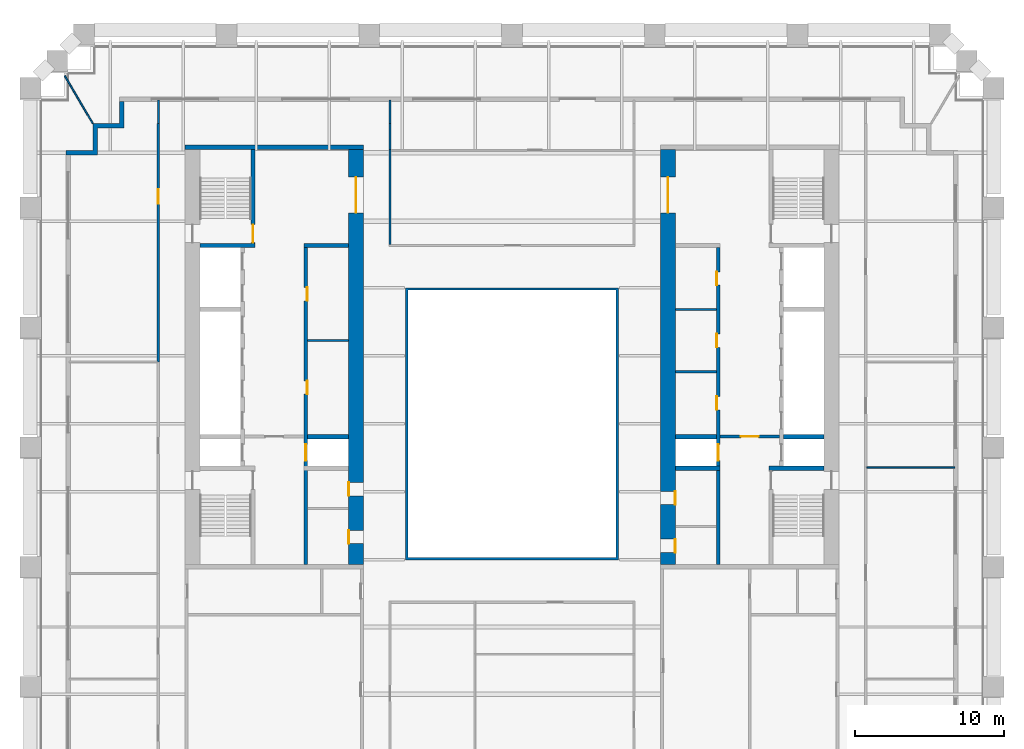
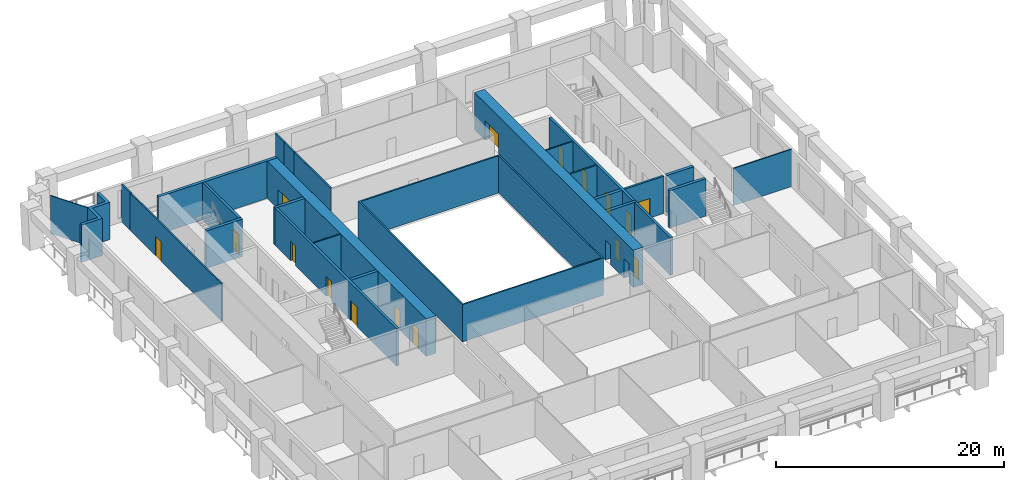
# One storey, part 6 of 10: 26 walls, 16 doors, 16 openings.
"""IFC4 building model written with IfcOpenShell, lengths in metres."""

from ifc_helpers import new_model, si_unit, direction, frame, frame_2d, origin, place, context, subcontext, project, spatial, polyline, rectangle, outline, extrude, material, layer, layer_set, type_object, element, fill, save


model = new_model("IFC4")

# Units and contexts
model_context = context("Model", 3, precision=1e-05, world=origin(), true_north=direction((0.0, 1.0)))
body_context = subcontext(model_context, "Body", "Model", "MODEL_VIEW")
ifc_project = project(units=[si_unit("LENGTHUNIT", "METRE"), si_unit("AREAUNIT", "SQUARE_METRE"), si_unit("VOLUMEUNIT", "CUBIC_METRE"), si_unit("PLANEANGLEUNIT", "RADIAN"), si_unit("MASSUNIT", "GRAM", prefix="KILO")], contexts=[model_context])

# Site, building, storey
site_placement = place(None, origin())
site = spatial("IfcSite", under=ifc_project, at=site_placement, CompositionType="ELEMENT")
building_placement = place(site_placement, origin())
building = spatial("IfcBuilding", under=site, at=building_placement, Name="Ogive Exchange Tower", CompositionType="ELEMENT")
storey_placement = place(building_placement, frame((0.0, 0.0, 52.199951171875)))
storey = spatial("IfcBuildingStorey", under=building, at=storey_placement, Name="L10", CompositionType="ELEMENT", Elevation=52.199951171875)

# Walls
ifc_material_1 = material(Name="Gypsum board partition")
ifc_layer_1 = layer(ifc_material_1, 0.14990234375)
ifc_layer_set_1 = layer_set([ifc_layer_1], Name="Core room partition 150 gypsum")
wall_type_1 = type_object("IfcWallType", Name="Core room partition 150 gypsum", PredefinedType="PARTITIONING", material=ifc_layer_set_1)
for number, where, z_axis, x_axis, name in (
    (1, (-13.75, 12.60009765625, 0.0), (0.0, 0.0, 1.0), (1.0, 0.0, 0.0), "W row B bay partition 1-1"),
    (2, (11.0, 10.5, 0.0), (0.0, 0.0, 1.0), (1.0, 0.0, 0.0), "E row B bay partition 1-1"),
    (3, (11.0, 14.699951171875, 0.0), (0.0, 0.0, 1.0), (1.0, 0.0, 0.0), "E row B bay partition 1-2"),
):
    element("IfcWall", number, at=place(storey_placement, frame(where, z_axis=z_axis, x_axis=x_axis)), inside=storey, type_object=wall_type_1, Name=name, PredefinedType="PARTITIONING", context=body_context, shape_type="SweptSolid", body=[
        extrude(rectangle(XDim=2.75, YDim=0.14990234375, at=frame_2d((1.375, 0.0))), origin(), (0.0, 0.0, 1.0), 4.0),
    ])
ifc_layer_2 = layer(ifc_material_1, 0.300048828125)
ifc_layer_set_2 = layer_set([ifc_layer_2], Name="Core room partition 300 gypsum")
wall_type_2 = type_object("IfcWallType", Name="Core room partition 300 gypsum", PredefinedType="PARTITIONING", material=ifc_layer_set_2)
wall_1_placement = place(storey_placement, frame((-14.0, 19.0, 0.0), z_axis=(0.0, 0.0, 1.0), x_axis=(1.0, 0.0, 0.0)))
element("IfcWall", 4, at=wall_1_placement, inside=storey, type_object=wall_type_2, Name="W row B room end wall 7", PredefinedType="PARTITIONING", context=body_context, shape_type="SweptSolid", body=[
    extrude(rectangle(XDim=3.0, YDim=0.300048828125, at=frame_2d((1.5, 0.0))), origin(), (0.0, 0.0, 1.0), 4.0),
])

# Wall, opening, door
ifc_material_2 = material(Name="Fire partition EI 60 150")
ifc_layer_3 = layer(ifc_material_2, 0.14990234375)
ifc_layer_set_3 = layer_set([ifc_layer_3], Name="Fire partition EI 60 150")
wall_type_3 = type_object("IfcWallType", Name="Fire partition EI 60 150", PredefinedType="PARTITIONING", material=ifc_layer_set_3)
wall_2_placement = place(storey_placement, frame((-23.800048828125, 11.169921875, 0.0), z_axis=(0.0, 0.0, 1.0), x_axis=(0.0, 1.0, 0.0)))
wall_2 = element("IfcWall", 5, at=wall_2_placement, inside=storey, type_object=wall_type_3, Name="L10-PWL-012", PredefinedType="PARTITIONING", context=body_context, shape_type="SweptSolid", body=[
    extrude(rectangle(XDim=16.030029296875, YDim=0.14990234375, at=frame_2d((8.01513671875, 0.0))), origin(), (0.0, 0.0, 1.0), 4.0),
])
opening_1_placement = place(wall_2_placement, frame((10.6298828125, 0.0, 0.0)))
opening_1 = element("IfcOpeningElement", 6, at=opening_1_placement, cuts=wall_2, Name="Opening L10-I04", PredefinedType="OPENING", context=body_context, shape_type="SweptSolid", body=[
    extrude(rectangle(XDim=1.0, YDim=2.10009765625, at=frame_2d((0.5, 1.050048828125))), frame((0.0, 0.0849609375, 0.0), z_axis=(0.0, -1.0, 0.0), x_axis=(1.0, 0.0, 0.0)), (0.0, 0.0, 1.0), 0.169921875),
])
ifc_material_3 = material(Name="Fire door FD 30S 1000 x 2100")
door_type_1 = type_object("IfcDoorType", Name="Fire door FD 30S 1000 x 2100", OperationType="NOTDEFINED", PredefinedType="DOOR", material=ifc_material_3)
door_1_placement = place(opening_1_placement, origin())
door_1 = element("IfcDoor", 7, at=door_1_placement, inside=storey, type_object=door_type_1, Name="L10-IDR-004", ObjectType="DT3", OperationType="SINGLE_SWING_LEFT", OverallHeight=2.10009765625, OverallWidth=1.0, PredefinedType="DOOR", context=body_context, shape_type="SweptSolid", body=[
    extrude(rectangle(XDim=1.0, YDim=2.10009765625, at=frame_2d((0.5, 1.050048828125))), frame((0.0, 0.02490234375, 0.0), z_axis=(0.0, -1.0, 0.0), x_axis=(1.0, 0.0, 0.0)), (0.0, 0.0, 1.0), 0.050048828125),
])
fill(opening_1, door_1)

# Walls
for number, where, z_axis, x_axis, name in (
    (8, (-23.7900390625, 27.199951171875, 0.0), (0.0, 0.0, 1.0), (0.0, 1.0, 0.0), "L10-PWL-013"),
    (9, (-8.2099609375, 28.800048828125, 0.0), (0.0, 0.0, 1.0), (0.0, -1.0, 0.0), "L10-PWL-018"),
):
    element("IfcWall", number, at=place(storey_placement, frame(where, z_axis=z_axis, x_axis=x_axis)), inside=storey, type_object=wall_type_3, Name=name, PredefinedType="PARTITIONING", context=body_context, shape_type="SweptSolid", body=[
        extrude(rectangle(XDim=1.60009765625, YDim=0.14990234375, at=frame_2d((0.800048828125, 0.0))), origin(), (0.0, 0.0, 1.0), 4.0),
    ])
wall_3_placement = place(storey_placement, frame((-8.199951171875, 25.449951171875, 0.0), z_axis=(0.0, 0.0, 1.0), x_axis=(0.0, -1.0, 0.0)))
element("IfcWall", 10, at=wall_3_placement, inside=storey, type_object=wall_type_3, Name="L10-PWL-023", PredefinedType="PARTITIONING", context=body_context, shape_type="SweptSolid", body=[
    extrude(rectangle(XDim=6.375, YDim=0.14990234375, at=frame_2d((3.1875, 0.0))), origin(), (0.0, 0.0, 1.0), 4.0),
])
wall_4_placement = place(storey_placement, frame((-8.199951171875, 27.199951171875, 0.0), z_axis=(0.0, 0.0, 1.0), x_axis=(0.0, -1.0, 0.0)))
element("IfcWall", 11, at=wall_4_placement, inside=storey, type_object=wall_type_3, Name="L10-PWL-025", PredefinedType="PARTITIONING", context=body_context, shape_type="SweptSolid", body=[
    extrude(rectangle(XDim=1.75, YDim=0.14990234375, at=frame_2d((0.875, 0.0))), origin(), (0.0, 0.0, 1.0), 4.0),
])
ifc_material_4 = material(Name="Fire-resisting glass in steel frame", Category="steel")
ifc_layer_4 = layer(ifc_material_4, 0.14990234375)
ifc_layer_set_4 = layer_set([ifc_layer_4], Name="Fire-rated glazed wall 150")
wall_type_4 = type_object("IfcWallType", Name="Fire-rated glazed wall 150", PredefinedType="STANDARD", material=ifc_layer_set_4)
wall_5_placement = place(storey_placement, origin())
element("IfcWall", 12, at=wall_5_placement, inside=storey, type_object=wall_type_4, Name="Nave enclosure wall", PredefinedType="STANDARD", context=body_context, shape_type="SweptSolid", body=[
    extrude(outline(polyline([(-7.14990234375, -2.14990234375), (7.14990234375, -2.14990234375), (7.14990234375, 16.14990234375), (-7.14990234375, 16.14990234375), (-7.14990234375, -2.14990234375)]), holes=[polyline([(-7.0, -2.0), (-7.0, 16.0), (7.0, 16.0), (7.0, -2.0), (-7.0, -2.0)])]), origin(), (0.0, 0.0, 1.0), 4.0),
])
ifc_material_5 = material(Name="Precast concrete C40/50", Category="concrete")
ifc_layer_5 = layer(ifc_material_5, 0.300048828125)
ifc_layer_set_5 = layer_set([ifc_layer_5], Name="Limestone-faced wall 300")
wall_type_5 = type_object("IfcWallType", Name="Limestone-faced wall 300", PredefinedType="STANDARD", material=ifc_layer_set_5)
wall_6_placement = place(storey_placement, origin())
element("IfcWall", 13, at=wall_6_placement, inside=storey, type_object=wall_type_5, Name="External corner wall C3", PredefinedType="STANDARD", context=body_context, shape_type="SweptSolid", body=[
    extrude(outline(polyline([(-28.199951171875, 25.39990234375), (-28.199951171875, 27.199951171875), (-26.39990234375, 27.199951171875), (-26.39990234375, 28.699951171875), (-26.10009765625, 28.699951171875), (-26.10009765625, 26.89990234375), (-27.89990234375, 26.89990234375), (-27.89990234375, 25.10009765625), (-30.0, 25.10009765625), (-30.0, 25.39990234375), (-28.199951171875, 25.39990234375)])), origin(), (0.0, 0.0, 1.0), 4.0),
])
ifc_material_6 = material(Name="Laminated safety glass in steel frame", Category="steel")
ifc_layer_6 = layer(ifc_material_6, 0.10009765625)
ifc_layer_set_6 = layer_set([ifc_layer_6], Name="Loggia end screen 100")
wall_type_6 = type_object("IfcWallType", Name="Loggia end screen 100", PredefinedType="STANDARD", material=ifc_layer_set_6)
wall_7_placement = place(storey_placement, frame((-28.199951171875, 27.199951171875, -0.050048828125), z_axis=(0.0, 0.0, 1.0), x_axis=(-0.50603666658, 0.862511966338, 0.0)))
element("IfcWall", 14, at=wall_7_placement, inside=storey, type_object=wall_type_6, Name="Loggia end screen C3", PredefinedType="STANDARD", context=body_context, shape_type="SweptSolid", body=[
    extrude(rectangle(XDim=3.733154296875, YDim=0.10009765625, at=frame_2d((1.86669921875, 0.0))), origin(), (0.0, 0.0, 1.0), 4.050048828125),
])
ifc_material_7 = material(Name="Partition 100 gypsum")
ifc_layer_7 = layer(ifc_material_7, 0.10009765625)
ifc_layer_set_7 = layer_set([ifc_layer_7], Name="Partition 100 gypsum")
wall_type_7 = type_object("IfcWallType", Name="Partition 100 gypsum", PredefinedType="PARTITIONING", material=ifc_layer_set_7)
wall_8_placement = place(storey_placement, frame((29.800048828125, 4.06005859375, 0.0), z_axis=(0.0, 0.0, 1.0), x_axis=(-1.0, 0.0, 0.0)))
element("IfcWall", 15, at=wall_8_placement, inside=storey, type_object=wall_type_7, Name="L10-PWL-057", PredefinedType="PARTITIONING", context=body_context, shape_type="SweptSolid", body=[
    extrude(rectangle(XDim=5.925048828125, YDim=0.10009765625, at=frame_2d((2.96240234375, 0.0))), origin(), (0.0, 0.0, 1.0), 4.0),
])

# Wall, openings, doors
ifc_material_8 = material(Name="Concrete C70/85", Category="concrete")
ifc_layer_8 = layer(ifc_material_8, 1.0)
ifc_layer_set_8 = layer_set([ifc_layer_8], Name="RC core wall 1000 C70/85")
wall_type_8 = type_object("IfcWallType", Name="RC core wall 1000 C70/85", PredefinedType="SHEAR", material=ifc_layer_set_8)
wall_9_placement = place(storey_placement, frame((-10.5, -2.449951171875, 0.0), z_axis=(0.0, 0.0, 1.0), x_axis=(0.0, 1.0, 0.0)))
wall_9 = element("IfcWall", 16, at=wall_9_placement, inside=storey, type_object=wall_type_8, Name="W inner wall", PredefinedType="SHEAR", context=body_context, shape_type="SweptSolid", body=[
    extrude(rectangle(XDim=27.89990234375, YDim=1.0, at=frame_2d((13.949951171875, 0.0))), origin(), (0.0, 0.0, 1.0), 4.0),
])
opening_2_placement = place(wall_9_placement, frame((23.64990234375, 0.0, 0.0)))
opening_2 = element("IfcOpeningElement", 17, at=opening_2_placement, cuts=wall_9, Name="Opening L10-C12", PredefinedType="OPENING", context=body_context, shape_type="SweptSolid", body=[
    extrude(rectangle(XDim=2.39990234375, YDim=2.10009765625, at=frame_2d((1.199951171875, 1.050048828125))), frame((0.0, 0.510009765625, 0.0), z_axis=(0.0, -1.0, 0.0), x_axis=(1.0, 0.0, 0.0)), (0.0, 0.0, 1.0), 1.02001953125),
])
opening_3_placement = place(wall_9_placement, frame((1.387451171875, 0.0, 0.0)))
opening_3 = element("IfcOpeningElement", 18, at=opening_3_placement, cuts=wall_9, Name="Opening L10-C17", PredefinedType="OPENING", context=body_context, shape_type="SweptSolid", body=[
    extrude(rectangle(XDim=0.89990234375, YDim=2.10009765625, at=frame_2d((0.449951171875, 1.050048828125))), frame((0.0, 0.510009765625, 0.0), z_axis=(0.0, -1.0, 0.0), x_axis=(1.0, 0.0, 0.0)), (0.0, 0.0, 1.0), 1.02001953125),
])
opening_4_placement = place(wall_9_placement, frame((4.612548828125, 0.0, 0.0)))
opening_4 = element("IfcOpeningElement", 19, at=opening_4_placement, cuts=wall_9, Name="Opening L10-C18", PredefinedType="OPENING", context=body_context, shape_type="SweptSolid", body=[
    extrude(rectangle(XDim=0.89990234375, YDim=2.10009765625, at=frame_2d((0.449951171875, 1.050048828125))), frame((0.0, 0.510009765625, 0.0), z_axis=(0.0, -1.0, 0.0), x_axis=(1.0, 0.0, 0.0)), (0.0, 0.0, 1.0), 1.02001953125),
])
ifc_material_9 = material(Name="Timber fire door", Category="wood")
door_type_2 = type_object("IfcDoorType", Name="Core room door FD30S 900 x 2100", OperationType="NOTDEFINED", PredefinedType="DOOR", material=ifc_material_9)
door_2_placement = place(opening_3_placement, origin())
door_2 = element("IfcDoor", 20, at=door_2_placement, inside=storey, type_object=door_type_2, Name="Core room door", ObjectType="CD6", OperationType="SINGLE_SWING_RIGHT", OverallHeight=2.10009765625, OverallWidth=0.89990234375, PredefinedType="DOOR", context=body_context, shape_type="SweptSolid", body=[
    extrude(rectangle(XDim=0.89990234375, YDim=2.10009765625, at=frame_2d((0.449951171875, 1.050048828125))), frame((0.0, 0.5, 0.0), z_axis=(0.0, -1.0, 0.0), x_axis=(1.0, 0.0, 0.0)), (0.0, 0.0, 1.0), 0.050048828125),
])
fill(opening_3, door_2)
ifc_material_10 = material(Name="Glazed steel fire door", Category="steel")
door_type_3 = type_object("IfcDoorType", Name="Lift lobby double door FD60 2400 x 2100", OperationType="DOUBLE_DOOR_SINGLE_SWING", PredefinedType="DOOR", material=ifc_material_10)
door_3_placement = place(opening_2_placement, origin())
door_3 = element("IfcDoor", 21, at=door_3_placement, inside=storey, type_object=door_type_3, Name="Lift lobby double door", ObjectType="CD4", OperationType="DOUBLE_DOOR_SINGLE_SWING", OverallHeight=2.10009765625, OverallWidth=2.39990234375, PredefinedType="DOOR", context=body_context, shape_type="SweptSolid", body=[
    extrude(rectangle(XDim=2.39990234375, YDim=2.10009765625, at=frame_2d((1.199951171875, 1.050048828125))), frame((0.0, 0.02490234375, 0.0), z_axis=(0.0, -1.0, 0.0), x_axis=(1.0, 0.0, 0.0)), (0.0, 0.0, 1.0), 0.050048828125),
])
fill(opening_2, door_3)
ifc_material_11 = material(Name="Steel fire door", Category="steel")
door_type_4 = type_object("IfcDoorType", Name="Riser door FD60 900 x 2100", OperationType="NOTDEFINED", PredefinedType="DOOR", material=ifc_material_11)
door_4_placement = place(opening_4_placement, origin())
door_4 = element("IfcDoor", 22, at=door_4_placement, inside=storey, type_object=door_type_4, Name="Riser door", ObjectType="CD2", OperationType="SINGLE_SWING_LEFT", OverallHeight=2.10009765625, OverallWidth=0.89990234375, PredefinedType="DOOR", context=body_context, shape_type="SweptSolid", body=[
    extrude(rectangle(XDim=0.89990234375, YDim=2.10009765625, at=frame_2d((0.449951171875, 1.050048828125))), frame((0.0, 0.5, 0.0), z_axis=(0.0, -1.0, 0.0), x_axis=(1.0, 0.0, 0.0)), (0.0, 0.0, 1.0), 0.050048828125),
])
fill(opening_4, door_4)

wall_10_placement = place(storey_placement, frame((10.5, -2.449951171875, 0.0), z_axis=(0.0, 0.0, 1.0), x_axis=(0.0, 1.0, 0.0)))
wall_10 = element("IfcWall", 23, at=wall_10_placement, inside=storey, type_object=wall_type_8, Name="E inner wall", PredefinedType="SHEAR", context=body_context, shape_type="SweptSolid", body=[
    extrude(rectangle(XDim=27.89990234375, YDim=1.0, at=frame_2d((13.949951171875, 0.0))), origin(), (0.0, 0.0, 1.0), 4.0),
])
opening_5_placement = place(wall_10_placement, frame((23.64990234375, 0.0, 0.0)))
opening_5 = element("IfcOpeningElement", 24, at=opening_5_placement, cuts=wall_10, Name="Opening L10-C34", PredefinedType="OPENING", context=body_context, shape_type="SweptSolid", body=[
    extrude(rectangle(XDim=2.39990234375, YDim=2.10009765625, at=frame_2d((1.199951171875, 1.050048828125))), frame((0.0, 0.510009765625, 0.0), z_axis=(0.0, -1.0, 0.0), x_axis=(1.0, 0.0, 0.0)), (0.0, 0.0, 1.0), 1.02001953125),
])
opening_6_placement = place(wall_10_placement, frame((0.78759765625, 0.0, 0.0)))
opening_6 = element("IfcOpeningElement", 25, at=opening_6_placement, cuts=wall_10, Name="Opening L10-C39", PredefinedType="OPENING", context=body_context, shape_type="SweptSolid", body=[
    extrude(rectangle(XDim=0.89990234375, YDim=2.10009765625, at=frame_2d((0.449951171875, 1.050048828125))), frame((0.0, 0.510009765625, 0.0), z_axis=(0.0, -1.0, 0.0), x_axis=(1.0, 0.0, 0.0)), (0.0, 0.0, 1.0), 1.02001953125),
])
opening_7_placement = place(wall_10_placement, frame((4.012451171875, 0.0, 0.0)))
opening_7 = element("IfcOpeningElement", 26, at=opening_7_placement, cuts=wall_10, Name="Opening L10-C40", PredefinedType="OPENING", context=body_context, shape_type="SweptSolid", body=[
    extrude(rectangle(XDim=0.89990234375, YDim=2.10009765625, at=frame_2d((0.449951171875, 1.050048828125))), frame((0.0, 0.510009765625, 0.0), z_axis=(0.0, -1.0, 0.0), x_axis=(1.0, 0.0, 0.0)), (0.0, 0.0, 1.0), 1.02001953125),
])
door_5_placement = place(opening_6_placement, frame((0.89990234375, -0.9501953125, 0.0), z_axis=(0.0, 0.0, 1.0), x_axis=(-1.0, 0.0, 0.0)))
door_5 = element("IfcDoor", 27, at=door_5_placement, inside=storey, type_object=door_type_2, Name="Core room door", ObjectType="CD6", OperationType="SINGLE_SWING_RIGHT", OverallHeight=2.10009765625, OverallWidth=0.89990234375, PredefinedType="DOOR", context=body_context, shape_type="SweptSolid", body=[
    extrude(rectangle(XDim=0.89990234375, YDim=2.10009765625, at=frame_2d((0.449951171875, 1.050048828125))), frame((0.0, -0.4501953125, 0.0), z_axis=(0.0, -1.0, 0.0), x_axis=(1.0, 0.0, 0.0)), (0.0, 0.0, 1.0), 0.050048828125),
])
fill(opening_6, door_5)
door_6_placement = place(opening_5_placement, frame((2.39990234375, 0.0, 0.0), z_axis=(0.0, 0.0, 1.0), x_axis=(-1.0, 0.0, 0.0)))
door_6 = element("IfcDoor", 28, at=door_6_placement, inside=storey, type_object=door_type_3, Name="Lift lobby double door", ObjectType="CD4", OperationType="DOUBLE_DOOR_SINGLE_SWING", OverallHeight=2.10009765625, OverallWidth=2.39990234375, PredefinedType="DOOR", context=body_context, shape_type="SweptSolid", body=[
    extrude(rectangle(XDim=2.39990234375, YDim=2.10009765625, at=frame_2d((1.199951171875, 1.050048828125))), frame((0.0, 0.02490234375, 0.0), z_axis=(0.0, -1.0, 0.0), x_axis=(1.0, 0.0, 0.0)), (0.0, 0.0, 1.0), 0.050048828125),
])
fill(opening_5, door_6)
door_7_placement = place(opening_7_placement, frame((0.89990234375, -0.9501953125, 0.0), z_axis=(0.0, 0.0, 1.0), x_axis=(-1.0, 0.0, 0.0)))
door_7 = element("IfcDoor", 29, at=door_7_placement, inside=storey, type_object=door_type_4, Name="Riser door", ObjectType="CD2", OperationType="SINGLE_SWING_LEFT", OverallHeight=2.10009765625, OverallWidth=0.89990234375, PredefinedType="DOOR", context=body_context, shape_type="SweptSolid", body=[
    extrude(rectangle(XDim=0.89990234375, YDim=2.10009765625, at=frame_2d((0.449951171875, 1.050048828125))), frame((0.0, -0.4501953125, 0.0), z_axis=(0.0, -1.0, 0.0), x_axis=(1.0, 0.0, 0.0)), (0.0, 0.0, 1.0), 0.050048828125),
])
fill(opening_7, door_7)

# Wall, opening, door
ifc_layer_9 = layer(ifc_material_8, 0.199951171875)
ifc_layer_set_9 = layer_set([ifc_layer_9], Name="RC core wall 200 C70/85")
wall_type_9 = type_object("IfcWallType", Name="RC core wall 200 C70/85", PredefinedType="SHEAR", material=ifc_layer_set_9)
wall_11_placement = place(storey_placement, frame((14.0, 6.142822265625, 0.0), z_axis=(0.0, 0.0, 1.0), x_axis=(1.0, 0.0, 0.0)))
wall_11 = element("IfcWall", 30, at=wall_11_placement, inside=storey, type_object=wall_type_9, Name="E firefighting lobby wall", PredefinedType="SHEAR", context=body_context, shape_type="SweptSolid", body=[
    extrude(rectangle(XDim=4.0, YDim=0.199951171875, at=frame_2d((2.0, 0.0))), origin(), (0.0, 0.0, 1.0), 4.0),
])
opening_8_placement = place(wall_11_placement, frame((1.39990234375, 0.0, 0.0)))
opening_8 = element("IfcOpeningElement", 31, at=opening_8_placement, cuts=wall_11, Name="Opening L10-C33", PredefinedType="OPENING", context=body_context, shape_type="SweptSolid", body=[
    extrude(rectangle(XDim=1.199951171875, YDim=2.10009765625, at=frame_2d((0.60009765625, 1.050048828125))), frame((0.0, 0.10986328125, 0.0), z_axis=(0.0, -1.0, 0.0), x_axis=(1.0, 0.0, 0.0)), (0.0, 0.0, 1.0), 0.219970703125),
])
door_type_5 = type_object("IfcDoorType", Name="Firefighting lobby door FD60 1200 x 2100", OperationType="NOTDEFINED", PredefinedType="DOOR", material=ifc_material_11)
door_8_placement = place(opening_8_placement, frame((1.199951171875, 0.0, 0.0), z_axis=(0.0, 0.0, 1.0), x_axis=(-1.0, 0.0, 0.0)))
door_8 = element("IfcDoor", 32, at=door_8_placement, inside=storey, type_object=door_type_5, Name="Firefighting lobby door", ObjectType="CD3", OperationType="SINGLE_SWING_RIGHT", OverallHeight=2.10009765625, OverallWidth=1.199951171875, PredefinedType="DOOR", context=body_context, shape_type="SweptSolid", body=[
    extrude(rectangle(XDim=1.199951171875, YDim=2.10009765625, at=frame_2d((0.60009765625, 1.050048828125))), frame((0.0, 0.02490234375, 0.0), z_axis=(0.0, -1.0, 0.0), x_axis=(1.0, 0.0, 0.0)), (0.0, 0.0, 1.0), 0.050048828125),
])
fill(opening_8, door_8)

ifc_layer_10 = layer(ifc_material_8, 0.25)
ifc_layer_set_10 = layer_set([ifc_layer_10], Name="RC core wall 250 C70/85")
wall_type_10 = type_object("IfcWallType", Name="RC core wall 250 C70/85", PredefinedType="SHEAR", material=ifc_layer_set_10)
wall_12_placement = place(storey_placement, frame((-17.425048828125, 19.14990234375, 0.0), z_axis=(0.0, 0.0, 1.0), x_axis=(0.0, 1.0, 0.0)))
wall_12 = element("IfcWall", 33, at=wall_12_placement, inside=storey, type_object=wall_type_10, Name="W stair N front wall", PredefinedType="SHEAR", context=body_context, shape_type="SweptSolid", body=[
    extrude(rectangle(XDim=6.300048828125, YDim=0.25, at=frame_2d((3.14990234375, 0.0))), origin(), (0.0, 0.0, 1.0), 4.0),
])
opening_9_placement = place(wall_12_placement, frame((0.050048828125, 0.0, 0.0)))
opening_9 = element("IfcOpeningElement", 34, at=opening_9_placement, cuts=wall_12, Name="Opening L10-C15", PredefinedType="OPENING", context=body_context, shape_type="SweptSolid", body=[
    extrude(rectangle(XDim=1.199951171875, YDim=2.10009765625, at=frame_2d((0.60009765625, 1.050048828125))), frame((0.0, 0.135009765625, 0.0), z_axis=(0.0, -1.0, 0.0), x_axis=(1.0, 0.0, 0.0)), (0.0, 0.0, 1.0), 0.27001953125),
])
door_type_6 = type_object("IfcDoorType", Name="Stair door FD90 1200 x 2100", OperationType="NOTDEFINED", PredefinedType="DOOR", material=ifc_material_11)
door_9_placement = place(opening_9_placement, origin())
door_9 = element("IfcDoor", 35, at=door_9_placement, inside=storey, type_object=door_type_6, Name="Stair door", ObjectType="CD5", OperationType="SINGLE_SWING_RIGHT", OverallHeight=2.10009765625, OverallWidth=1.199951171875, PredefinedType="DOOR", context=body_context, shape_type="SweptSolid", body=[
    extrude(rectangle(XDim=1.199951171875, YDim=2.10009765625, at=frame_2d((0.60009765625, 1.050048828125))), frame((0.0, 0.02490234375, 0.0), z_axis=(0.0, -1.0, 0.0), x_axis=(1.0, 0.0, 0.0)), (0.0, 0.0, 1.0), 0.050048828125),
])
fill(opening_9, door_9)

# Wall, openings, doors
wall_13_placement = place(storey_placement, frame((-13.875, -2.449951171875, 0.0), z_axis=(0.0, 0.0, 1.0), x_axis=(0.0, 1.0, 0.0)))
wall_13 = element("IfcWall", 36, at=wall_13_placement, inside=storey, type_object=wall_type_10, Name="W row B front wall", PredefinedType="SHEAR", context=body_context, shape_type="SweptSolid", body=[
    extrude(rectangle(XDim=21.300048828125, YDim=0.25, at=frame_2d((10.64990234375, 0.0))), origin(), (0.0, 0.0, 1.0), 4.0),
])
opening_10_placement = place(wall_13_placement, frame((11.4462890625, 0.0, 0.0)))
opening_10 = element("IfcOpeningElement", 37, at=opening_10_placement, cuts=wall_13, Name="Opening L10-C08", PredefinedType="OPENING", context=body_context, shape_type="SweptSolid", body=[
    extrude(rectangle(XDim=0.89990234375, YDim=2.10009765625, at=frame_2d((0.449951171875, 1.050048828125))), frame((0.0, 0.135009765625, 0.0), z_axis=(0.0, -1.0, 0.0), x_axis=(1.0, 0.0, 0.0)), (0.0, 0.0, 1.0), 0.27001953125),
])
opening_11_placement = place(wall_13_placement, frame((17.72509765625, 0.0, 0.0)))
opening_11 = element("IfcOpeningElement", 38, at=opening_11_placement, cuts=wall_13, Name="Opening L10-C09", PredefinedType="OPENING", context=body_context, shape_type="SweptSolid", body=[
    extrude(rectangle(XDim=0.89990234375, YDim=2.10009765625, at=frame_2d((0.449951171875, 1.050048828125))), frame((0.0, 0.135009765625, 0.0), z_axis=(0.0, -1.0, 0.0), x_axis=(1.0, 0.0, 0.0)), (0.0, 0.0, 1.0), 0.27001953125),
])
opening_12_placement = place(wall_13_placement, frame((6.971435546875, 0.0, 0.0)))
opening_12 = element("IfcOpeningElement", 39, at=opening_12_placement, cuts=wall_13, Name="Opening L10-C10", PredefinedType="OPENING", context=body_context, shape_type="SweptSolid", body=[
    extrude(rectangle(XDim=1.10009765625, YDim=2.10009765625, at=frame_2d((0.550048828125, 1.050048828125))), frame((0.0, 0.135009765625, 0.0), z_axis=(0.0, -1.0, 0.0), x_axis=(1.0, 0.0, 0.0)), (0.0, 0.0, 1.0), 0.27001953125),
])
ifc_material_12 = material(Name="Stainless steel", Category="steel")
door_type_7 = type_object("IfcDoorType", Name="Lift landing door FD90 1100 x 2100", OperationType="SLIDING_TO_LEFT", PredefinedType="DOOR", material=ifc_material_12)
door_10_placement = place(opening_12_placement, origin())
door_10 = element("IfcDoor", 40, at=door_10_placement, inside=storey, type_object=door_type_7, Name="Lift landing door SV1", ObjectType="LD", OperationType="SLIDING_TO_LEFT", OverallHeight=2.10009765625, OverallWidth=1.10009765625, PredefinedType="DOOR", context=body_context, shape_type="SweptSolid", body=[
    extrude(rectangle(XDim=1.10009765625, YDim=2.10009765625, at=frame_2d((0.550048828125, 1.050048828125))), frame((0.0, 0.02490234375, 0.0), z_axis=(0.0, -1.0, 0.0), x_axis=(1.0, 0.0, 0.0)), (0.0, 0.0, 1.0), 0.050048828125),
])
fill(opening_12, door_10)
door_11_placement = place(opening_10_placement, frame((0.89990234375, -0.2001953125, 0.0), z_axis=(0.0, 0.0, 1.0), x_axis=(-1.0, 0.0, 0.0)))
door_11 = element("IfcDoor", 41, at=door_11_placement, inside=storey, type_object=door_type_4, Name="Riser door", ObjectType="CD2", OperationType="SINGLE_SWING_LEFT", OverallHeight=2.10009765625, OverallWidth=0.89990234375, PredefinedType="DOOR", context=body_context, shape_type="SweptSolid", body=[
    extrude(rectangle(XDim=0.89990234375, YDim=2.10009765625, at=frame_2d((0.449951171875, 1.050048828125))), frame((0.0, -0.0751953125, 0.0), z_axis=(0.0, -1.0, 0.0), x_axis=(1.0, 0.0, 0.0)), (0.0, 0.0, 1.0), 0.050048828125),
])
fill(opening_10, door_11)
door_12_placement = place(opening_11_placement, frame((0.89990234375, -0.2001953125, 0.0), z_axis=(0.0, 0.0, 1.0), x_axis=(-1.0, 0.0, 0.0)))
door_12 = element("IfcDoor", 42, at=door_12_placement, inside=storey, type_object=door_type_4, Name="Riser door", ObjectType="CD2", OperationType="SINGLE_SWING_LEFT", OverallHeight=2.10009765625, OverallWidth=0.89990234375, PredefinedType="DOOR", context=body_context, shape_type="SweptSolid", body=[
    extrude(rectangle(XDim=0.89990234375, YDim=2.10009765625, at=frame_2d((0.449951171875, 1.050048828125))), frame((0.0, -0.0751953125, 0.0), z_axis=(0.0, -1.0, 0.0), x_axis=(1.0, 0.0, 0.0)), (0.0, 0.0, 1.0), 0.050048828125),
])
fill(opening_11, door_12)

wall_14_placement = place(storey_placement, frame((13.875, -2.449951171875, 0.0), z_axis=(0.0, 0.0, 1.0), x_axis=(0.0, 1.0, 0.0)))
wall_14 = element("IfcWall", 43, at=wall_14_placement, inside=storey, type_object=wall_type_10, Name="E row B front wall", PredefinedType="SHEAR", context=body_context, shape_type="SweptSolid", body=[
    extrude(rectangle(XDim=21.300048828125, YDim=0.25, at=frame_2d((10.64990234375, 0.0))), origin(), (0.0, 0.0, 1.0), 4.0),
])
opening_13_placement = place(wall_14_placement, frame((10.396484375, 0.0, 0.0)))
opening_13 = element("IfcOpeningElement", 44, at=opening_13_placement, cuts=wall_14, Name="Opening L10-C29", PredefinedType="OPENING", context=body_context, shape_type="SweptSolid", body=[
    extrude(rectangle(XDim=0.89990234375, YDim=2.10009765625, at=frame_2d((0.449951171875, 1.050048828125))), frame((0.0, 0.135009765625, 0.0), z_axis=(0.0, -1.0, 0.0), x_axis=(1.0, 0.0, 0.0)), (0.0, 0.0, 1.0), 0.27001953125),
])
opening_14_placement = place(wall_14_placement, frame((14.60009765625, 0.0, 0.0)))
opening_14 = element("IfcOpeningElement", 45, at=opening_14_placement, cuts=wall_14, Name="Opening L10-C30", PredefinedType="OPENING", context=body_context, shape_type="SweptSolid", body=[
    extrude(rectangle(XDim=0.89990234375, YDim=2.10009765625, at=frame_2d((0.449951171875, 1.050048828125))), frame((0.0, 0.135009765625, 0.0), z_axis=(0.0, -1.0, 0.0), x_axis=(1.0, 0.0, 0.0)), (0.0, 0.0, 1.0), 0.27001953125),
])
opening_15_placement = place(wall_14_placement, frame((18.77490234375, 0.0, 0.0)))
opening_15 = element("IfcOpeningElement", 46, at=opening_15_placement, cuts=wall_14, Name="Opening L10-C31", PredefinedType="OPENING", context=body_context, shape_type="SweptSolid", body=[
    extrude(rectangle(XDim=0.89990234375, YDim=2.10009765625, at=frame_2d((0.449951171875, 1.050048828125))), frame((0.0, 0.135009765625, 0.0), z_axis=(0.0, -1.0, 0.0), x_axis=(1.0, 0.0, 0.0)), (0.0, 0.0, 1.0), 0.27001953125),
])
opening_16_placement = place(wall_14_placement, frame((6.971435546875, 0.0, 0.0)))
opening_16 = element("IfcOpeningElement", 47, at=opening_16_placement, cuts=wall_14, Name="Opening L10-C32", PredefinedType="OPENING", context=body_context, shape_type="SweptSolid", body=[
    extrude(rectangle(XDim=1.10009765625, YDim=2.10009765625, at=frame_2d((0.550048828125, 1.050048828125))), frame((0.0, 0.135009765625, 0.0), z_axis=(0.0, -1.0, 0.0), x_axis=(1.0, 0.0, 0.0)), (0.0, 0.0, 1.0), 0.27001953125),
])
door_13_placement = place(opening_16_placement, origin())
door_13 = element("IfcDoor", 48, at=door_13_placement, inside=storey, type_object=door_type_7, Name="Lift landing door SV2", ObjectType="LD", OperationType="SLIDING_TO_LEFT", OverallHeight=2.10009765625, OverallWidth=1.10009765625, PredefinedType="DOOR", context=body_context, shape_type="SweptSolid", body=[
    extrude(rectangle(XDim=1.10009765625, YDim=2.10009765625, at=frame_2d((0.550048828125, 1.050048828125))), frame((0.0, 0.02490234375, 0.0), z_axis=(0.0, -1.0, 0.0), x_axis=(1.0, 0.0, 0.0)), (0.0, 0.0, 1.0), 0.050048828125),
])
fill(opening_16, door_13)
door_14_placement = place(opening_13_placement, origin())
door_14 = element("IfcDoor", 49, at=door_14_placement, inside=storey, type_object=door_type_4, Name="Riser door", ObjectType="CD2", OperationType="SINGLE_SWING_RIGHT", OverallHeight=2.10009765625, OverallWidth=0.89990234375, PredefinedType="DOOR", context=body_context, shape_type="SweptSolid", body=[
    extrude(rectangle(XDim=0.89990234375, YDim=2.10009765625, at=frame_2d((0.449951171875, 1.050048828125))), frame((0.0, 0.125, 0.0), z_axis=(0.0, -1.0, 0.0), x_axis=(1.0, 0.0, 0.0)), (0.0, 0.0, 1.0), 0.050048828125),
])
fill(opening_13, door_14)
door_15_placement = place(opening_14_placement, origin())
door_15 = element("IfcDoor", 50, at=door_15_placement, inside=storey, type_object=door_type_4, Name="Riser door", ObjectType="CD2", OperationType="SINGLE_SWING_LEFT", OverallHeight=2.10009765625, OverallWidth=0.89990234375, PredefinedType="DOOR", context=body_context, shape_type="SweptSolid", body=[
    extrude(rectangle(XDim=0.89990234375, YDim=2.10009765625, at=frame_2d((0.449951171875, 1.050048828125))), frame((0.0, 0.125, 0.0), z_axis=(0.0, -1.0, 0.0), x_axis=(1.0, 0.0, 0.0)), (0.0, 0.0, 1.0), 0.050048828125),
])
fill(opening_14, door_15)
door_16_placement = place(opening_15_placement, origin())
door_16 = element("IfcDoor", 51, at=door_16_placement, inside=storey, type_object=door_type_4, Name="Riser door", ObjectType="CD2", OperationType="SINGLE_SWING_LEFT", OverallHeight=2.10009765625, OverallWidth=0.89990234375, PredefinedType="DOOR", context=body_context, shape_type="SweptSolid", body=[
    extrude(rectangle(XDim=0.89990234375, YDim=2.10009765625, at=frame_2d((0.449951171875, 1.050048828125))), frame((0.0, 0.125, 0.0), z_axis=(0.0, -1.0, 0.0), x_axis=(1.0, 0.0, 0.0)), (0.0, 0.0, 1.0), 0.050048828125),
])
fill(opening_15, door_16)

# Walls
ifc_layer_11 = layer(ifc_material_8, 0.300048828125)
ifc_layer_set_11 = layer_set([ifc_layer_11], Name="RC core wall 300 C70/85")
wall_type_11 = type_object("IfcWallType", Name="RC core wall 300 C70/85", PredefinedType="SHEAR", material=ifc_layer_set_11)
wall_15_placement = place(storey_placement, frame((-22.0, 25.60009765625, 0.0), z_axis=(0.0, 0.0, 1.0), x_axis=(1.0, 0.0, 0.0)))
element("IfcWall", 52, at=wall_15_placement, inside=storey, type_object=wall_type_11, Name="W north end wall", PredefinedType="SHEAR", context=body_context, shape_type="SweptSolid", body=[
    extrude(rectangle(XDim=12.0, YDim=0.300048828125, at=frame_2d((6.0, 0.0))), origin(), (0.0, 0.0, 1.0), 4.0),
])
wall_16_placement = place(storey_placement, frame((-21.0, 19.0, 0.0), z_axis=(0.0, 0.0, 1.0), x_axis=(1.0, 0.0, 0.0)))
element("IfcWall", 53, at=wall_16_placement, inside=storey, type_object=wall_type_11, Name="W stair N south wall", PredefinedType="SHEAR", context=body_context, shape_type="SweptSolid", body=[
    extrude(rectangle(XDim=3.699951171875, YDim=0.300048828125, at=frame_2d((1.85009765625, 0.0))), origin(), (0.0, 0.0, 1.0), 4.0),
])
wall_17_placement = place(storey_placement, frame((-13.75, 6.142822265625, 0.0), z_axis=(0.0, 0.0, 1.0), x_axis=(1.0, 0.0, 0.0)))
element("IfcWall", 54, at=wall_17_placement, inside=storey, type_object=wall_type_11, Name="W row B divider 1", PredefinedType="SHEAR", context=body_context, shape_type="SweptSolid", body=[
    extrude(rectangle(XDim=2.75, YDim=0.300048828125, at=frame_2d((1.375, 0.0))), origin(), (0.0, 0.0, 1.0), 4.0),
])
wall_18_placement = place(storey_placement, frame((17.300048828125, 4.0, 0.0), z_axis=(0.0, 0.0, 1.0), x_axis=(1.0, 0.0, 0.0)))
element("IfcWall", 55, at=wall_18_placement, inside=storey, type_object=wall_type_11, Name="E stair S north wall", PredefinedType="SHEAR", context=body_context, shape_type="SweptSolid", body=[
    extrude(rectangle(XDim=3.699951171875, YDim=0.300048828125, at=frame_2d((1.85009765625, 0.0))), origin(), (0.0, 0.0, 1.0), 4.0),
])
wall_19_placement = place(storey_placement, frame((18.25, 6.142822265625, 0.0), z_axis=(0.0, 0.0, 1.0), x_axis=(1.0, 0.0, 0.0)))
element("IfcWall", 56, at=wall_19_placement, inside=storey, type_object=wall_type_11, Name="E row A divider 1", PredefinedType="SHEAR", context=body_context, shape_type="SweptSolid", body=[
    extrude(rectangle(XDim=2.75, YDim=0.300048828125, at=frame_2d((1.375, 0.0))), origin(), (0.0, 0.0, 1.0), 4.0),
])
wall_20_placement = place(storey_placement, frame((11.0, 4.0, 0.0), z_axis=(0.0, 0.0, 1.0), x_axis=(1.0, 0.0, 0.0)))
element("IfcWall", 57, at=wall_20_placement, inside=storey, type_object=wall_type_11, Name="E row B divider 0", PredefinedType="SHEAR", context=body_context, shape_type="SweptSolid", body=[
    extrude(rectangle(XDim=3.0, YDim=0.300048828125, at=frame_2d((1.5, 0.0))), origin(), (0.0, 0.0, 1.0), 4.0),
])
wall_21_placement = place(storey_placement, frame((11.0, 6.142822265625, 0.0), z_axis=(0.0, 0.0, 1.0), x_axis=(1.0, 0.0, 0.0)))
element("IfcWall", 58, at=wall_21_placement, inside=storey, type_object=wall_type_11, Name="E row B divider 1", PredefinedType="SHEAR", context=body_context, shape_type="SweptSolid", body=[
    extrude(rectangle(XDim=2.75, YDim=0.300048828125, at=frame_2d((1.375, 0.0))), origin(), (0.0, 0.0, 1.0), 4.0),
])

save(model, "model.ifc")
